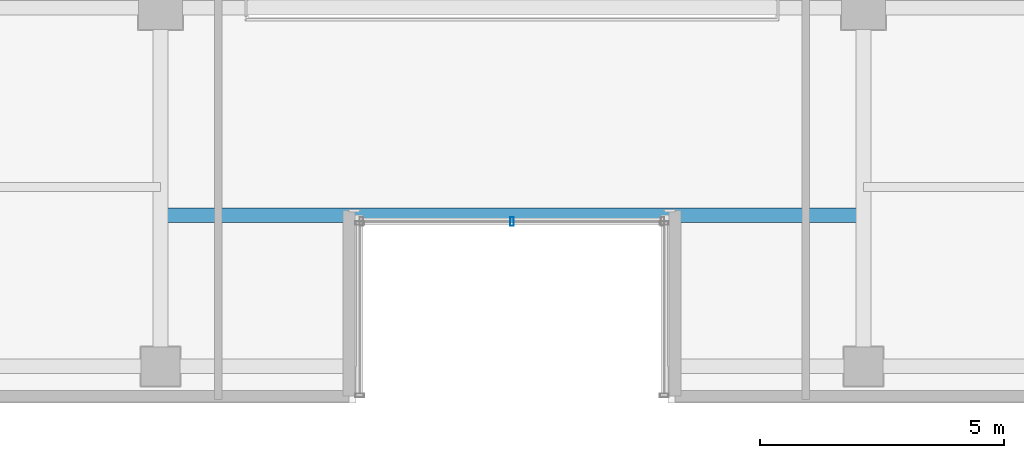
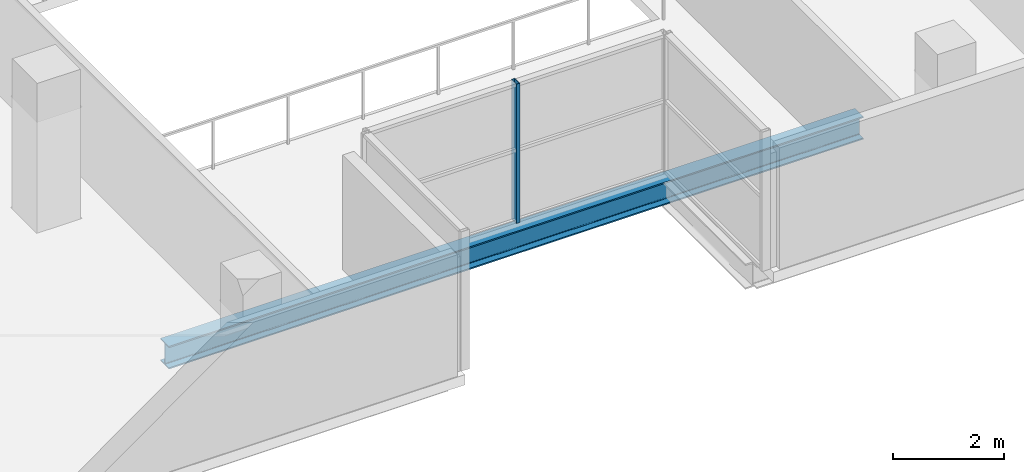
# One storey, part 4 of 28: 1 beam, 1 member, 1 element without a shape of its own.
"""IFC4 building model written with IfcOpenShell, lengths in metres."""

from ifc_helpers import new_model, si_unit, direction, frame, origin, origin_2d, place, context, subcontext, project, spatial, hollow_rectangle, i_section, extrude, source, transform, mapped, material, layer, layer_set, material_profile, profile_set, type_object, element, aggregate, save


model = new_model("IFC4")

# Units and contexts
model_context = context("Model", 3, precision=1e-05, world=origin(), true_north=direction((0.0, 1.0)))
body_context = subcontext(model_context, "Body", "Model", "MODEL_VIEW")
ifc_project = project(units=[si_unit("LENGTHUNIT", "METRE"), si_unit("AREAUNIT", "SQUARE_METRE"), si_unit("VOLUMEUNIT", "CUBIC_METRE"), si_unit("PLANEANGLEUNIT", "RADIAN"), si_unit("MASSUNIT", "GRAM", prefix="KILO")], contexts=[model_context])

# Site, building, storey
site_placement = place(None, origin())
site = spatial("IfcSite", under=ifc_project, at=site_placement, CompositionType="ELEMENT")
building_placement = place(site_placement, origin())
building = spatial("IfcBuilding", under=site, at=building_placement, Name="Zarnakvel Exchange Tower", CompositionType="ELEMENT")
storey_placement = place(building_placement, frame((0.0, 0.0, 103.300048828125)))
storey = spatial("IfcBuildingStorey", under=building, at=storey_placement, Name="L28", CompositionType="ELEMENT", Elevation=103.300048828125)

# Beam
ifc_material_1 = material(Name="Steel S355", Category="steel")
ifc_material_profile_1 = material_profile(ifc_material_1, i_section(OverallWidth=0.300048828125, OverallDepth=0.5, WebThickness=0.014404296875, FlangeThickness=0.028076171875, FilletRadius=0.027099609375, at=origin_2d()))
ifc_profile_set_1 = profile_set([ifc_material_profile_1], Name="Steel S355")
beam_type = type_object("IfcBeamType", Name="SP-02", PredefinedType="SPANDREL", material=ifc_profile_set_1)
beam_placement = place(storey_placement, frame((-7.199951171875, -13.85009765625, -0.47509765625), z_axis=(1.0, 0.0, 0.0), x_axis=(0.0, 1.0, 0.0)))
element("IfcBeam", 1, at=beam_placement, inside=storey, type_object=beam_type, Name="L28 South Slot Head Trimmer Girder", PredefinedType="SPANDREL", context=body_context, shape_type="SweptSolid", body=[
    extrude(i_section(OverallWidth=0.300048828125, OverallDepth=0.5, WebThickness=0.014404296875, FlangeThickness=0.028076171875, FilletRadius=0.027099609375, at=origin_2d()), origin(), (0.0, 0.0, 1.0), 14.39990234375),
])

# Curtain wall, member
ifc_material_2 = material(Name="Architectural Bronze Anodised Aluminium", Category="aluminium")
ifc_layer = layer(ifc_material_2, 0.179931640625)
ifc_layer_set = layer_set([ifc_layer], Name="Architectural Bronze Anodised Aluminium")
curtain_wall_type = type_object("IfcCurtainWallType", Name="CW-05", PredefinedType="NOTDEFINED", material=ifc_layer_set)
curtain_wall_placement = place(storey_placement, origin())
curtain_wall = element("IfcCurtainWall", 2, at=curtain_wall_placement, inside=storey, type_object=curtain_wall_type, Name="L28 Curtain Wall CW-L28-SLB (CW-05)", PredefinedType="NOTDEFINED")
ifc_material_profile_2 = material_profile(ifc_material_2, hollow_rectangle(XDim=0.179931640625, YDim=0.070068359375, WallThickness=0.00390625, at=origin_2d()))
ifc_profile_set_2 = profile_set([ifc_material_profile_2], Name="Architectural Bronze Anodised Aluminium")
member_type = type_object("IfcMemberType", Name="CWM-05", PredefinedType="MULLION", material=ifc_profile_set_2)
shared_shape = source(origin(), body_context, "Body", "SweptSolid", [
    extrude(hollow_rectangle(XDim=0.179931640625, YDim=0.070068359375, WallThickness=0.00390625, at=origin_2d()), origin(), (0.0, 0.0, 1.0), 3.054931640625),
])
member_placement = place(storey_placement, frame((0.0, -13.97998046875, 0.0), z_axis=(0.0, 0.0, 1.0), x_axis=(0.0, 1.0, 0.0)))
member = element("IfcMember", 3, at=member_placement, type_object=member_type, Name="CW-05 mullion 2", PredefinedType="MULLION", context=body_context, shape_type="MappedRepresentation", body=[
    mapped(shared_shape, transform((0.0, 0.0, 0.0), x_axis=(1.0, 0.0, 0.0), y_axis=(0.0, 1.0, 0.0), z_axis=(0.0, 0.0, 1.0), scale=1.0)),
])
aggregate(curtain_wall, [member])

save(model, "model.ifc")
